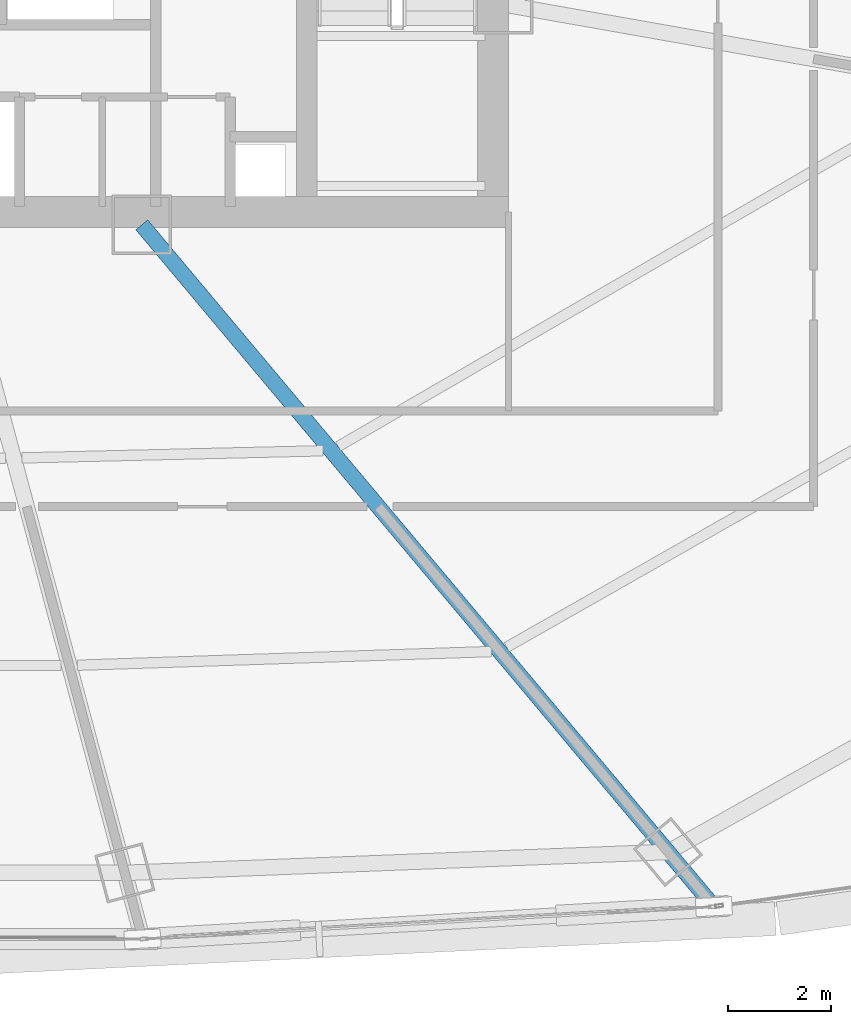
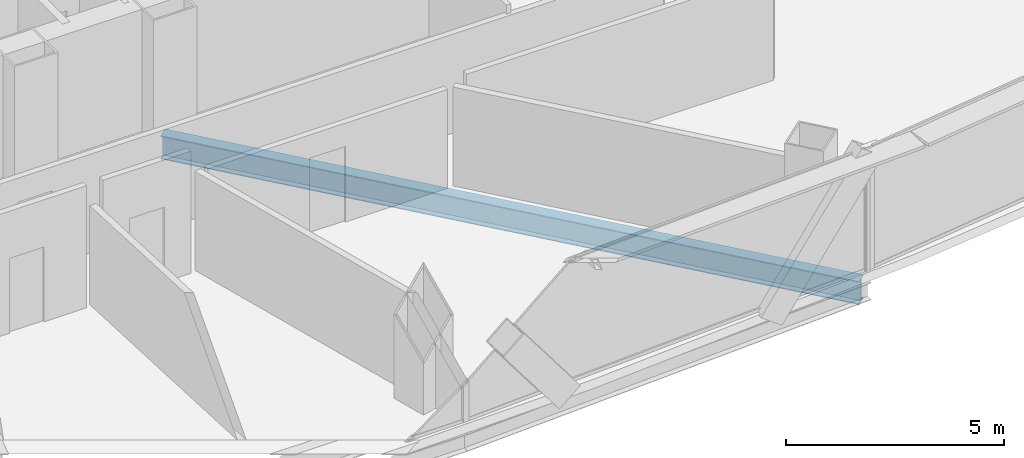
# One storey, part 15 of 41: 1 beam.
"""IFC4 building model written with IfcOpenShell, lengths in metres."""

from ifc_helpers import new_model, si_unit, direction, frame, origin, origin_2d, place, context, subcontext, project, spatial, i_section, extrude, source, transform, mapped, material, material_profile, profile_set, type_object, element, save


model = new_model("IFC4")

# Units and contexts
model_context = context("Model", 3, precision=1e-05, world=origin(), true_north=direction((0.0, 1.0)))
body_context = subcontext(model_context, "Body", "Model", "MODEL_VIEW")
ifc_project = project(units=[si_unit("LENGTHUNIT", "METRE"), si_unit("AREAUNIT", "SQUARE_METRE"), si_unit("VOLUMEUNIT", "CUBIC_METRE"), si_unit("PLANEANGLEUNIT", "RADIAN"), si_unit("MASSUNIT", "GRAM", prefix="KILO"), si_unit("THERMODYNAMICTEMPERATUREUNIT", "KELVIN"), si_unit("POWERUNIT", "WATT")], contexts=[model_context])

# Site, building, storey
site_placement = place(None, origin())
site = spatial("IfcSite", under=ifc_project, at=site_placement, CompositionType="ELEMENT")
building_placement = place(site_placement, origin())
building = spatial("IfcBuilding", under=site, at=building_placement, Name="Yunzhuo Pagoda Commons", CompositionType="ELEMENT")
storey_placement = place(building_placement, frame((0.0, 0.0, 155.590087890625)))
storey = spatial("IfcBuildingStorey", under=building, at=storey_placement, Name="L39", CompositionType="ELEMENT", Elevation=155.590087890625)

# Beam
ifc_material = material(Name="Structural steel Q355B", Category="steel")
ifc_material_profile = material_profile(ifc_material, i_section(OverallWidth=0.300048828125, OverallDepth=0.64990234375, WebThickness=0.012939453125, FlangeThickness=0.02197265625, at=origin_2d()), Name="Structural steel Q355B")
ifc_profile_set = profile_set([ifc_material_profile], Name="Structural steel Q355B")
beam_type = type_object("IfcBeamType", Name="B-RG2 Beam HN 650x300x13x22", PredefinedType="BEAM", material=ifc_profile_set)
shared_shape = source(origin(), body_context, "Body", "SweptSolid", [
    extrude(i_section(OverallWidth=0.300048828125, OverallDepth=0.64990234375, WebThickness=0.012939453125, FlangeThickness=0.02197265625, at=origin_2d()), origin(), (0.0, 0.0, 1.0), 17.05224609375),
])
beam_placement = place(storey_placement, frame((64.373291015625, 14.187255859375, -0.585205078125), z_axis=(-0.642795794804, 0.766037574916, 0.0), x_axis=(-0.766037574916, -0.642795794804, 0.0)))
element("IfcBeam", 1, at=beam_placement, inside=storey, type_object=beam_type, Name="L39 radial floor girder F1C4", PredefinedType="BEAM", context=body_context, shape_type="MappedRepresentation", body=[
    mapped(shared_shape, transform((0.0, 0.0, 0.0), scale=1.0)),
])

save(model, "model.ifc")
